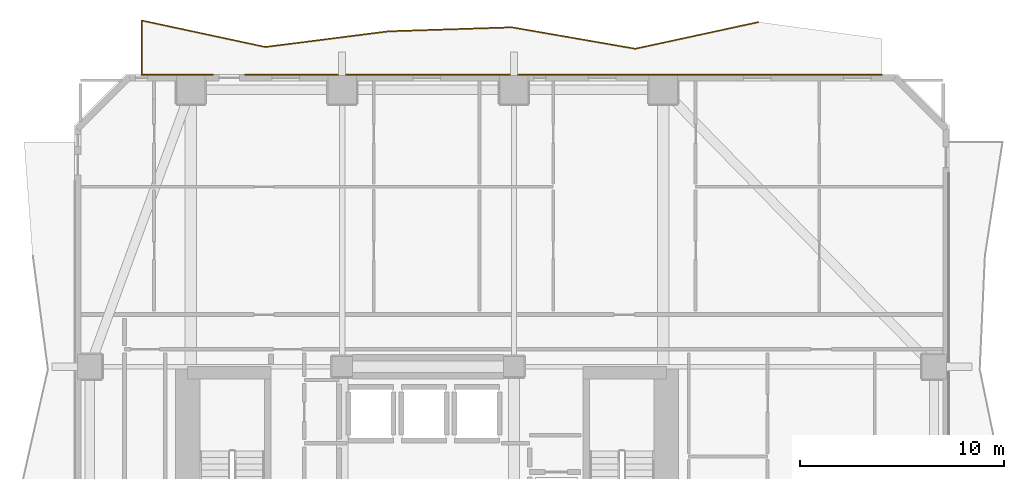
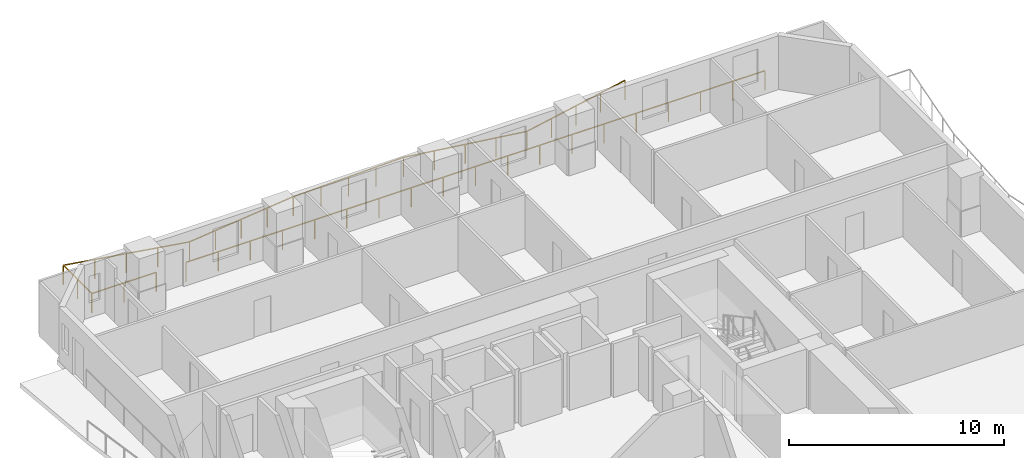
# One storey, part 11 of 11: 2 railings.
"""IFC4 building model written with IfcOpenShell, lengths in metres."""

from ifc_helpers import new_model, si_unit, direction, frame, origin, origin_2d, place, context, subcontext, project, spatial, rectangle, extrude, material, type_object, element, save


model = new_model("IFC4")

# Units and contexts
model_context = context("Model", 3, precision=1e-05, world=origin(), true_north=direction((0.0, 1.0)))
body_context = subcontext(model_context, "Body", "Model", "MODEL_VIEW")
ifc_project = project(units=[si_unit("LENGTHUNIT", "METRE"), si_unit("AREAUNIT", "SQUARE_METRE"), si_unit("VOLUMEUNIT", "CUBIC_METRE"), si_unit("PLANEANGLEUNIT", "RADIAN"), si_unit("MASSUNIT", "GRAM", prefix="KILO")], contexts=[model_context])

# Site, building, storey
site_placement = place(None, origin())
site = spatial("IfcSite", under=ifc_project, at=site_placement, CompositionType="ELEMENT")
building_placement = place(site_placement, origin())
building = spatial("IfcBuilding", under=site, at=building_placement, Name="Solanera Arch Residences", CompositionType="ELEMENT")
storey_placement = place(building_placement, frame((0.0, 0.0, 71.800048828125)))
storey = spatial("IfcBuildingStorey", under=building, at=storey_placement, Name="L20", CompositionType="ELEMENT", Elevation=71.800048828125)

# Railings
ifc_material = material(Name="Steel S355 (ASTM A992 / A572 Grade 50)", Category="steel")
railing_type = type_object("IfcRailingType", Name="Balustrade Railing BL-1100", PredefinedType="BALUSTRADE", material=ifc_material)
railing_1_placement = place(storey_placement, frame((41.1669921875, 56.259033203125, 0.0)))
element("IfcRailing", 1, at=railing_1_placement, inside=storey, type_object=railing_type, Name="L20 N Balcony Balustrade 1", PredefinedType="BALUSTRADE", context=body_context, shape_type="SweptSolid", body=[
    extrude(rectangle(XDim=0.048095703125, YDim=0.048095703125, at=origin_2d()), frame((0.0, 0.0, 1.09619140625), z_axis=(-0.977404229313, -0.211378741885, 0.0), x_axis=(0.211378741885, -0.977404229313, 0.0)), (0.0, 0.0, 1.0), 6.17333984375),
    extrude(rectangle(XDim=0.048095703125, YDim=0.048095703125, at=origin_2d()), frame((-6.033935546875, -1.304931640625, 1.09619140625), z_axis=(-0.98522228736, 0.171280601615, 0.0), x_axis=(-0.171280601615, -0.98522228736, 0.0)), (0.0, 0.0, 1.0), 6.12353515625),
    extrude(rectangle(XDim=0.048095703125, YDim=0.048095703125, at=origin_2d()), frame((-12.06689453125, -0.256103515625, 1.09619140625), z_axis=(-0.999467212416, -0.0326388006, 0.0), x_axis=(0.0326388006, -0.999467212416, 0.0)), (0.0, 0.0, 1.0), 6.036376953125),
    extrude(rectangle(XDim=0.048095703125, YDim=0.048095703125, at=origin_2d()), frame((-18.10009765625, -0.453125, 1.09619140625), z_axis=(-0.99204081397, -0.125916732083, 0.0), x_axis=(0.125916732083, -0.99204081397, 0.0)), (0.0, 0.0, 1.0), 6.082275390625),
    extrude(rectangle(XDim=0.048095703125, YDim=0.048095703125, at=origin_2d()), frame((-24.134033203125, -1.218994140625, 1.09619140625), z_axis=(-0.977763601424, 0.209710132635, 0.0), x_axis=(-0.209710132635, -0.977763601424, 0.0)), (0.0, 0.0, 1.0), 6.170166015625),
    extrude(rectangle(XDim=0.048095703125, YDim=0.048095703125, at=origin_2d()), frame((-30.1669921875, 0.074951171875, 1.09619140625), z_axis=(0.0, -1.0, 0.0), x_axis=(1.0, 0.0, 0.0)), (0.0, 0.0, 1.0), 2.654052734375),
    extrude(rectangle(XDim=0.048095703125, YDim=0.048095703125, at=origin_2d()), frame((-30.1669921875, -2.5791015625, 1.09619140625), z_axis=(1.0, 0.0, 0.0), x_axis=(0.0, 1.0, 0.0)), (0.0, 0.0, 1.0), 3.468017578125),
    extrude(rectangle(XDim=0.0419921875, YDim=0.0419921875, at=origin_2d()), origin(), (0.0, 0.0, 1.0), 1.072021484375),
    extrude(rectangle(XDim=0.0419921875, YDim=0.0419921875, at=origin_2d()), frame((-1.508544921875, -0.326171875, 0.0)), (0.0, 0.0, 1.0), 1.072021484375),
    extrude(rectangle(XDim=0.0419921875, YDim=0.0419921875, at=origin_2d()), frame((-3.01708984375, -0.65234375, 0.0)), (0.0, 0.0, 1.0), 1.072021484375),
    extrude(rectangle(XDim=0.0419921875, YDim=0.0419921875, at=origin_2d()), frame((-4.525390625, -0.978759765625, 0.0)), (0.0, 0.0, 1.0), 1.072021484375),
    extrude(rectangle(XDim=0.0419921875, YDim=0.0419921875, at=origin_2d()), frame((-6.033935546875, -1.304931640625, 0.0)), (0.0, 0.0, 1.0), 1.072021484375),
    extrude(rectangle(XDim=0.0419921875, YDim=0.0419921875, at=origin_2d()), frame((-7.542236328125, -1.042724609375, 0.0)), (0.0, 0.0, 1.0), 1.072021484375),
    extrude(rectangle(XDim=0.0419921875, YDim=0.0419921875, at=origin_2d()), frame((-9.05029296875, -0.780517578125, 0.0)), (0.0, 0.0, 1.0), 1.072021484375),
    extrude(rectangle(XDim=0.0419921875, YDim=0.0419921875, at=origin_2d()), frame((-10.55859375, -0.518310546875, 0.0)), (0.0, 0.0, 1.0), 1.072021484375),
    extrude(rectangle(XDim=0.0419921875, YDim=0.0419921875, at=origin_2d()), frame((-12.06689453125, -0.256103515625, 0.0)), (0.0, 0.0, 1.0), 1.072021484375),
    extrude(rectangle(XDim=0.0419921875, YDim=0.0419921875, at=origin_2d()), frame((-13.5751953125, -0.305419921875, 0.0)), (0.0, 0.0, 1.0), 1.072021484375),
    extrude(rectangle(XDim=0.0419921875, YDim=0.0419921875, at=origin_2d()), frame((-15.08349609375, -0.3544921875, 0.0)), (0.0, 0.0, 1.0), 1.072021484375),
    extrude(rectangle(XDim=0.0419921875, YDim=0.0419921875, at=origin_2d()), frame((-16.591796875, -0.40380859375, 0.0)), (0.0, 0.0, 1.0), 1.072021484375),
    extrude(rectangle(XDim=0.0419921875, YDim=0.0419921875, at=origin_2d()), frame((-18.10009765625, -0.453125, 0.0)), (0.0, 0.0, 1.0), 1.072021484375),
    extrude(rectangle(XDim=0.0419921875, YDim=0.0419921875, at=origin_2d()), frame((-19.608642578125, -0.64453125, 0.0)), (0.0, 0.0, 1.0), 1.072021484375),
    extrude(rectangle(XDim=0.0419921875, YDim=0.0419921875, at=origin_2d()), frame((-21.1171875, -0.8359375, 0.0)), (0.0, 0.0, 1.0), 1.072021484375),
    extrude(rectangle(XDim=0.0419921875, YDim=0.0419921875, at=origin_2d()), frame((-22.62548828125, -1.027587890625, 0.0)), (0.0, 0.0, 1.0), 1.072021484375),
    extrude(rectangle(XDim=0.0419921875, YDim=0.0419921875, at=origin_2d()), frame((-24.134033203125, -1.218994140625, 0.0)), (0.0, 0.0, 1.0), 1.072021484375),
    extrude(rectangle(XDim=0.0419921875, YDim=0.0419921875, at=origin_2d()), frame((-25.642333984375, -0.8955078125, 0.0)), (0.0, 0.0, 1.0), 1.072021484375),
    extrude(rectangle(XDim=0.0419921875, YDim=0.0419921875, at=origin_2d()), frame((-27.150390625, -0.572021484375, 0.0)), (0.0, 0.0, 1.0), 1.072021484375),
    extrude(rectangle(XDim=0.0419921875, YDim=0.0419921875, at=origin_2d()), frame((-28.65869140625, -0.24853515625, 0.0)), (0.0, 0.0, 1.0), 1.072021484375),
    extrude(rectangle(XDim=0.0419921875, YDim=0.0419921875, at=origin_2d()), frame((-30.1669921875, 0.074951171875, 0.0)), (0.0, 0.0, 1.0), 1.072021484375),
    extrude(rectangle(XDim=0.0419921875, YDim=0.0419921875, at=origin_2d()), frame((-30.1669921875, -1.251953125, 0.0)), (0.0, 0.0, 1.0), 1.072021484375),
    extrude(rectangle(XDim=0.0419921875, YDim=0.0419921875, at=origin_2d()), frame((-30.1669921875, -2.5791015625, 0.0)), (0.0, 0.0, 1.0), 1.072021484375),
    extrude(rectangle(XDim=0.0419921875, YDim=0.0419921875, at=origin_2d()), frame((-28.43310546875, -2.5791015625, 0.0)), (0.0, 0.0, 1.0), 1.072021484375),
    extrude(rectangle(XDim=0.0419921875, YDim=0.0419921875, at=origin_2d()), frame((-26.698974609375, -2.5791015625, 0.0)), (0.0, 0.0, 1.0), 1.072021484375),
])
railing_2_placement = place(storey_placement, frame((16.068115234375, 53.679931640625, 0.0)))
element("IfcRailing", 2, at=railing_2_placement, inside=storey, type_object=railing_type, Name="L20 N Balcony Balustrade 2", PredefinedType="BALUSTRADE", context=body_context, shape_type="SweptSolid", body=[
    extrude(rectangle(XDim=0.048095703125, YDim=0.048095703125, at=origin_2d()), frame((0.0, 0.0, 1.09619140625), z_axis=(1.0, 0.0, 0.0), x_axis=(0.0, 1.0, 0.0)), (0.0, 0.0, 1.0), 31.1318359375),
    extrude(rectangle(XDim=0.0419921875, YDim=0.0419921875, at=origin_2d()), origin(), (0.0, 0.0, 1.0), 1.072021484375),
    extrude(rectangle(XDim=0.0419921875, YDim=0.0419921875, at=origin_2d()), frame((1.7294921875, 0.0, 0.0)), (0.0, 0.0, 1.0), 1.072021484375),
    extrude(rectangle(XDim=0.0419921875, YDim=0.0419921875, at=origin_2d()), frame((3.458984375, 0.0, 0.0)), (0.0, 0.0, 1.0), 1.072021484375),
    extrude(rectangle(XDim=0.0419921875, YDim=0.0419921875, at=origin_2d()), frame((5.188720703125, 0.0, 0.0)), (0.0, 0.0, 1.0), 1.072021484375),
    extrude(rectangle(XDim=0.0419921875, YDim=0.0419921875, at=origin_2d()), frame((6.918212890625, 0.0, 0.0)), (0.0, 0.0, 1.0), 1.072021484375),
    extrude(rectangle(XDim=0.0419921875, YDim=0.0419921875, at=origin_2d()), frame((8.647705078125, 0.0, 0.0)), (0.0, 0.0, 1.0), 1.072021484375),
    extrude(rectangle(XDim=0.0419921875, YDim=0.0419921875, at=origin_2d()), frame((10.377197265625, 0.0, 0.0)), (0.0, 0.0, 1.0), 1.072021484375),
    extrude(rectangle(XDim=0.0419921875, YDim=0.0419921875, at=origin_2d()), frame((12.10693359375, 0.0, 0.0)), (0.0, 0.0, 1.0), 1.072021484375),
    extrude(rectangle(XDim=0.0419921875, YDim=0.0419921875, at=origin_2d()), frame((13.83642578125, 0.0, 0.0)), (0.0, 0.0, 1.0), 1.072021484375),
    extrude(rectangle(XDim=0.0419921875, YDim=0.0419921875, at=origin_2d()), frame((15.56591796875, 0.0, 0.0)), (0.0, 0.0, 1.0), 1.072021484375),
    extrude(rectangle(XDim=0.0419921875, YDim=0.0419921875, at=origin_2d()), frame((17.29541015625, 0.0, 0.0)), (0.0, 0.0, 1.0), 1.072021484375),
    extrude(rectangle(XDim=0.0419921875, YDim=0.0419921875, at=origin_2d()), frame((19.02490234375, 0.0, 0.0)), (0.0, 0.0, 1.0), 1.072021484375),
    extrude(rectangle(XDim=0.0419921875, YDim=0.0419921875, at=origin_2d()), frame((20.754638671875, 0.0, 0.0)), (0.0, 0.0, 1.0), 1.072021484375),
    extrude(rectangle(XDim=0.0419921875, YDim=0.0419921875, at=origin_2d()), frame((22.484130859375, 0.0, 0.0)), (0.0, 0.0, 1.0), 1.072021484375),
    extrude(rectangle(XDim=0.0419921875, YDim=0.0419921875, at=origin_2d()), frame((24.213623046875, 0.0, 0.0)), (0.0, 0.0, 1.0), 1.072021484375),
    extrude(rectangle(XDim=0.0419921875, YDim=0.0419921875, at=origin_2d()), frame((25.943115234375, 0.0, 0.0)), (0.0, 0.0, 1.0), 1.072021484375),
    extrude(rectangle(XDim=0.0419921875, YDim=0.0419921875, at=origin_2d()), frame((27.6728515625, 0.0, 0.0)), (0.0, 0.0, 1.0), 1.072021484375),
    extrude(rectangle(XDim=0.0419921875, YDim=0.0419921875, at=origin_2d()), frame((29.40234375, 0.0, 0.0)), (0.0, 0.0, 1.0), 1.072021484375),
    extrude(rectangle(XDim=0.0419921875, YDim=0.0419921875, at=origin_2d()), frame((31.1318359375, 0.0, 0.0)), (0.0, 0.0, 1.0), 1.072021484375),
])

save(model, "model.ifc")
